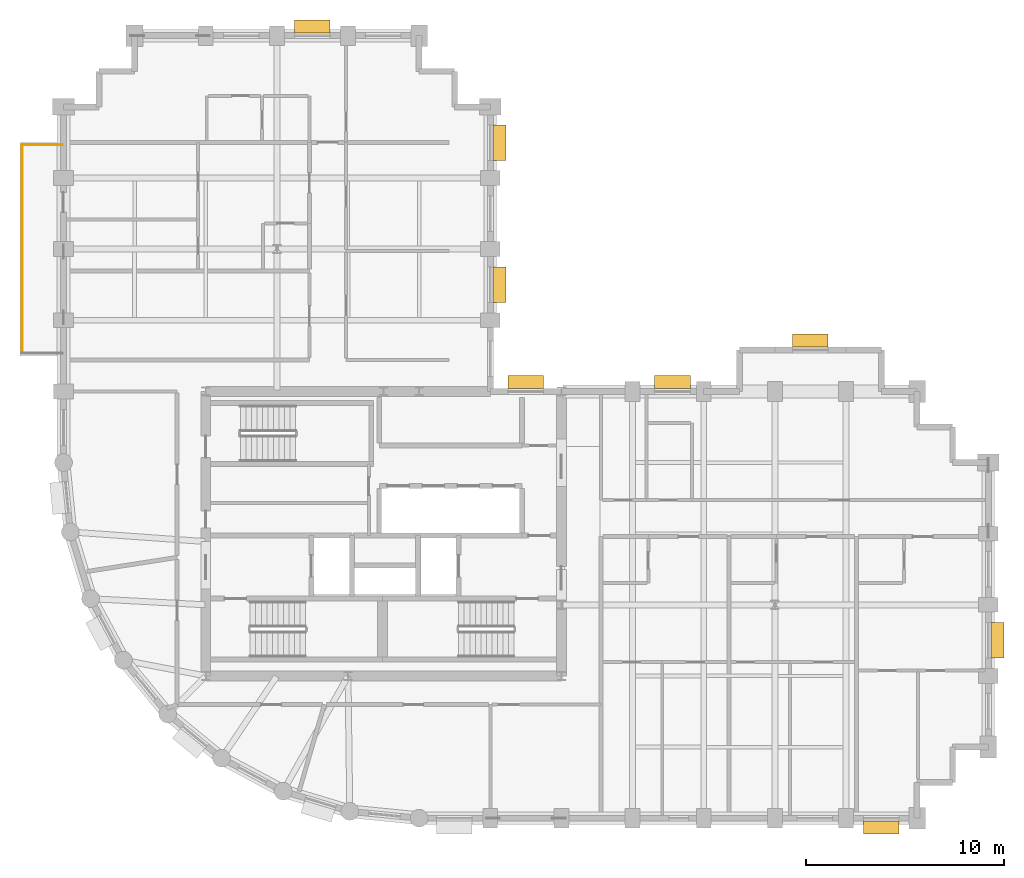
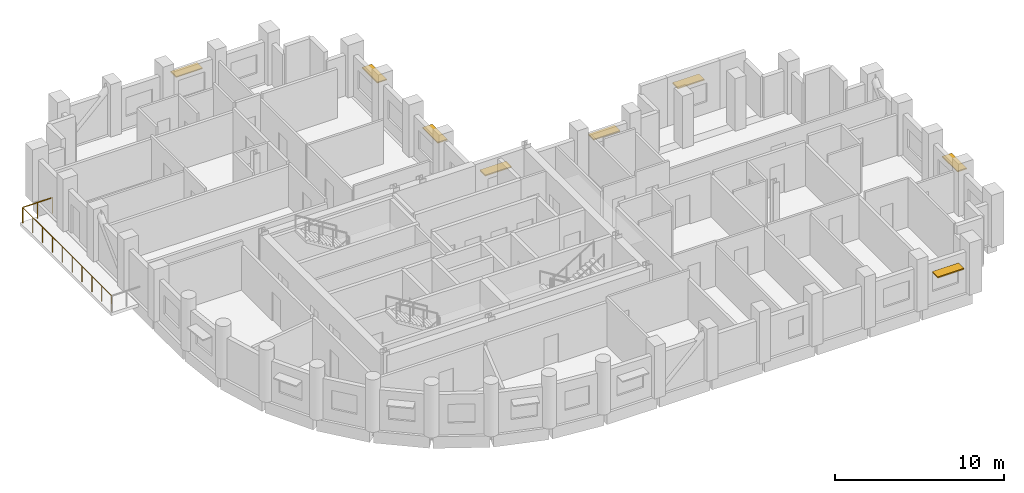
# One storey, part 10 of 10: 8 shading devices, 2 railings.
"""IFC4 building model written with IfcOpenShell, lengths in metres."""

from ifc_helpers import new_model, si_unit, direction, frame, origin, origin_2d, place, context, subcontext, project, spatial, rectangle, circle, extrude, material, layer, layer_set, type_object, element, save


model = new_model("IFC4")

# Units and contexts
model_context = context("Model", 3, precision=1e-05, world=origin(), true_north=direction((0.0, 1.0)))
body_context = subcontext(model_context, "Body", "Model", "MODEL_VIEW")
ifc_project = project(units=[si_unit("LENGTHUNIT", "METRE"), si_unit("AREAUNIT", "SQUARE_METRE"), si_unit("VOLUMEUNIT", "CUBIC_METRE"), si_unit("PLANEANGLEUNIT", "RADIAN"), si_unit("MASSUNIT", "GRAM", prefix="KILO")], contexts=[model_context])

# Site, building, storey
site_placement = place(None, origin())
site = spatial("IfcSite", under=ifc_project, at=site_placement, CompositionType="ELEMENT")
building_placement = place(site_placement, origin())
building = spatial("IfcBuilding", under=site, at=building_placement, Name="Solnavia Interchange Tower", CompositionType="ELEMENT")
storey_placement = place(building_placement, frame((0.0, 0.0, 150.39990234375)))
storey = spatial("IfcBuildingStorey", under=building, at=storey_placement, Name="L37", CompositionType="ELEMENT", Elevation=150.39990234375)

# Railings
ifc_material_1 = material(Name="Laminated Safety Glass & Stainless Steel", Category="steel")
railing_type = type_object("IfcRailingType", Name="Railing-TerraceGuard-1150", PredefinedType="GUARDRAIL", material=ifc_material_1)
railing_1_placement = place(storey_placement, frame((5.1201171875, 27.1201171875, -0.039794921875)))
element("IfcRailing", 1, at=railing_1_placement, inside=storey, type_object=railing_type, Name="GRD-L37-TER-02 Perimeter terrace guardrail", PredefinedType="GUARDRAIL", context=body_context, shape_type="SweptSolid", body=[
    extrude(circle(Radius=0.02392578125, at=origin_2d()), frame((0.0, 0.0, 1.1259765625), z_axis=(0.0, 1.0, 0.0), x_axis=(-1.0, 0.0, 0.0)), (0.0, 0.0, 1.0), 10.559814453125),
    extrude(circle(Radius=0.02099609375, at=origin_2d()), origin(), (0.0, 0.0, 1.0), 1.101806640625),
    extrude(circle(Radius=0.02099609375, at=origin_2d()), frame((0.0, 1.17333984375, 0.0)), (0.0, 0.0, 1.0), 1.101806640625),
    extrude(circle(Radius=0.02099609375, at=origin_2d()), frame((0.0, 2.3466796875, 0.0)), (0.0, 0.0, 1.0), 1.101806640625),
    extrude(circle(Radius=0.02099609375, at=origin_2d()), frame((0.0, 3.52001953125, 0.0)), (0.0, 0.0, 1.0), 1.101806640625),
    extrude(circle(Radius=0.02099609375, at=origin_2d()), frame((0.0, 4.693359375, 0.0)), (0.0, 0.0, 1.0), 1.101806640625),
    extrude(circle(Radius=0.02099609375, at=origin_2d()), frame((0.0, 5.866455078125, 0.0)), (0.0, 0.0, 1.0), 1.101806640625),
    extrude(circle(Radius=0.02099609375, at=origin_2d()), frame((0.0, 7.039794921875, 0.0)), (0.0, 0.0, 1.0), 1.101806640625),
    extrude(circle(Radius=0.02099609375, at=origin_2d()), frame((0.0, 8.213134765625, 0.0)), (0.0, 0.0, 1.0), 1.101806640625),
    extrude(circle(Radius=0.02099609375, at=origin_2d()), frame((0.0, 9.386474609375, 0.0)), (0.0, 0.0, 1.0), 1.101806640625),
    extrude(circle(Radius=0.02099609375, at=origin_2d()), frame((0.0, 10.559814453125, 0.0)), (0.0, 0.0, 1.0), 1.101806640625),
])
railing_2_placement = place(storey_placement, frame((5.1201171875, 37.679931640625, -0.039794921875)))
element("IfcRailing", 2, at=railing_2_placement, inside=storey, type_object=railing_type, Name="GRD-L37-TER-03 Perimeter terrace guardrail", PredefinedType="GUARDRAIL", context=body_context, shape_type="SweptSolid", body=[
    extrude(circle(Radius=0.02392578125, at=origin_2d()), frame((0.0, 0.0, 1.1259765625), z_axis=(1.0, 0.0, 0.0), x_axis=(0.0, 1.0, 0.0)), (0.0, 0.0, 1.0), 2.02978515625),
    extrude(circle(Radius=0.02099609375, at=origin_2d()), origin(), (0.0, 0.0, 1.0), 1.101806640625),
    extrude(circle(Radius=0.02099609375, at=origin_2d()), frame((1.014892578125, 0.0, 0.0)), (0.0, 0.0, 1.0), 1.101806640625),
    extrude(circle(Radius=0.02099609375, at=origin_2d()), frame((2.02978515625, 0.0, 0.0)), (0.0, 0.0, 1.0), 1.101806640625),
])

# Shading devices
ifc_material_2 = material(Name="Anodised Aluminium Sunshade", Category="aluminium")
ifc_layer = layer(ifc_material_2, 0.080078125)
ifc_layer_set = layer_set([ifc_layer], Name="Anodised Aluminium Sunshade")
shading_device_type = type_object("IfcShadingDeviceType", Name="Sunshade-Band-650", PredefinedType="SHUTTER", material=ifc_layer_set)
for number, where, z_axis, x_axis, name in (
    (3, (48.574951171875, 3.1298828125, 2.219970703125), (0.0, 0.0, 1.0), (-1.0, 0.0, 0.0), "SHD-L37-07 Horizontal sunshade band"),
    (4, (54.469970703125, 12.60009765625, 2.219970703125), (0.0, 0.0, 1.0), (0.0, -1.0, 0.0), "SHD-L37-13 Horizontal sunshade band"),
    (5, (45.0, 27.77001953125, 2.219970703125), (0.0, 0.0, 1.0), (1.0, 0.0, 0.0), "SHD-L37-23 Horizontal sunshade band"),
    (6, (38.02001953125, 25.669921875, 2.219970703125), (0.0, 0.0, 1.0), (1.0, 0.0, 0.0), "SHD-L37-27 Horizontal sunshade band"),
    (7, (30.583984375, 25.669921875, 2.219970703125), (0.0, 0.0, 1.0), (1.0, 0.0, 0.0), "SHD-L37-29 Horizontal sunshade band"),
    (8, (29.27001953125, 30.60009765625, 2.219970703125), (0.0, 0.0, 1.0), (0.0, -1.0, 0.0), "SHD-L37-31 Horizontal sunshade band"),
    (9, (29.27001953125, 37.77490234375, 2.219970703125), (0.0, 0.0, 1.0), (0.0, -1.0, 0.0), "SHD-L37-33 Horizontal sunshade band"),
    (10, (19.800048828125, 43.669921875, 2.219970703125), (0.0, 0.0, 1.0), (1.0, 0.0, 0.0), "SHD-L37-39 Horizontal sunshade band"),
):
    element("IfcShadingDevice", number, at=place(storey_placement, frame(where, z_axis=z_axis, x_axis=x_axis)), inside=storey, type_object=shading_device_type, Name=name, PredefinedType="SHUTTER", context=body_context, shape_type="SweptSolid", body=[
        extrude(rectangle(XDim=1.800048828125, YDim=0.64990234375, at=origin_2d()), origin(), (0.0, 0.0, 1.0), 0.080078125),
    ])

save(model, "model.ifc")
